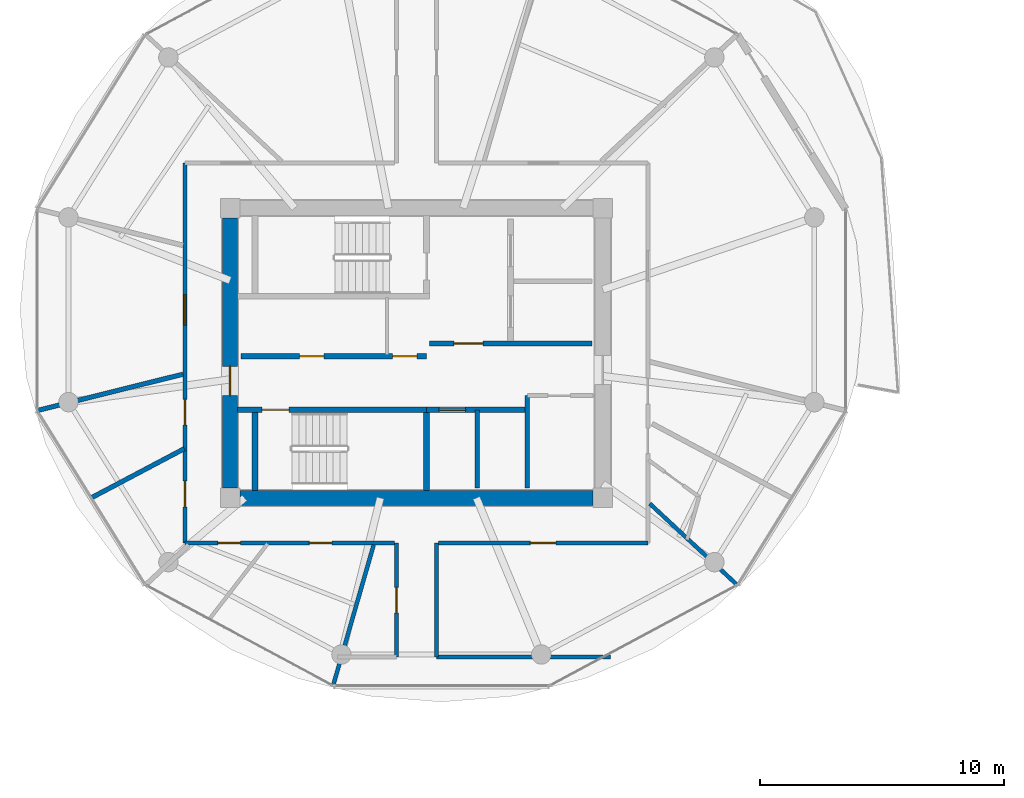
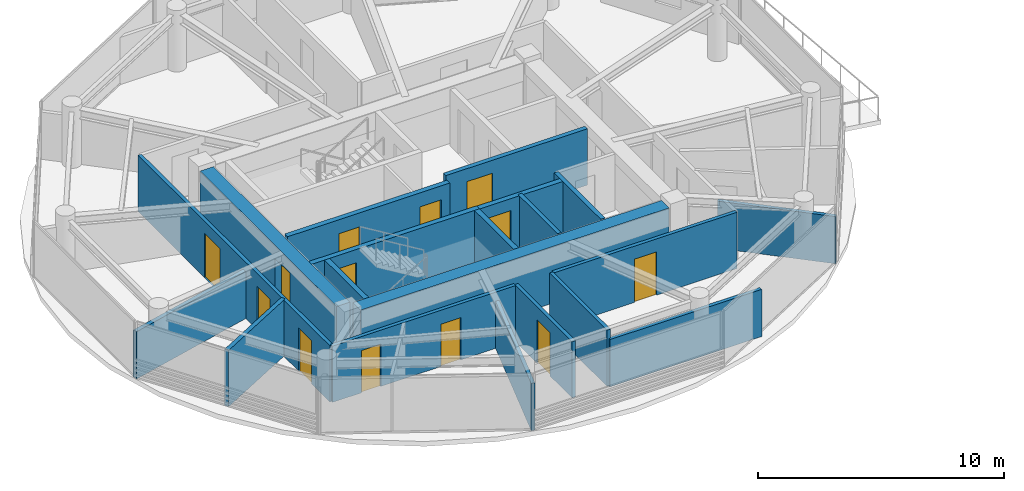
# One storey, part 13 of 22: 20 walls, 13 doors, 13 openings.
"""IFC4 building model written with IfcOpenShell, lengths in metres."""

from ifc_helpers import new_model, si_unit, direction, frame, frame_2d, origin, place, context, subcontext, project, spatial, rectangle, extrude, source, transform, mapped, material, layer, layer_set, type_object, type_shapes, element, fill, save


model = new_model("IFC4")

# Units and contexts
model_context = context("Model", 3, precision=1e-05, world=origin(), true_north=direction((0.0, 1.0)))
body_context = subcontext(model_context, "Body", "Model", "MODEL_VIEW")
ifc_project = project(units=[si_unit("LENGTHUNIT", "METRE"), si_unit("AREAUNIT", "SQUARE_METRE"), si_unit("VOLUMEUNIT", "CUBIC_METRE"), si_unit("PLANEANGLEUNIT", "RADIAN"), si_unit("MASSUNIT", "GRAM", prefix="KILO")], contexts=[model_context])

# Site, building, storey
site_placement = place(None, origin())
site = spatial("IfcSite", under=ifc_project, at=site_placement, CompositionType="ELEMENT")
building_placement = place(site_placement, origin())
building = spatial("IfcBuilding", under=site, at=building_placement, Name="Norrkilde Senior Care Towers", CompositionType="ELEMENT")
storey_placement = place(building_placement, frame((0.0, 0.0, 137.35009765625)))
storey = spatial("IfcBuildingStorey", under=building, at=storey_placement, Name="L42", CompositionType="ELEMENT", Elevation=137.35009765625)

# Wall
ifc_material_1 = material(Name="Concrete C50/60", Category="concrete")
ifc_layer_1 = layer(ifc_material_1, 0.6201171875)
ifc_layer_set_1 = layer_set([ifc_layer_1], Name="Concrete C50/60")
wall_type_1 = type_object("IfcWallType", Name="Core Shear Wall Z3 620", PredefinedType="SHEAR", material=ifc_layer_set_1)
shared_shape_1 = source(origin(), body_context, "Body", "SweptSolid", [
    extrude(rectangle(XDim=14.5, YDim=0.6201171875, at=frame_2d((7.25, 0.0))), origin(), (0.0, 0.0, 1.0), 2.809814453125),
])
wall_1_placement = place(storey_placement, frame((-20.75, -5.949951171875, 0.0), z_axis=(0.0, 0.0, 1.0), x_axis=(-1.0, 0.0, 0.0)))
element("IfcWall", 1, at=wall_1_placement, inside=storey, type_object=wall_type_1, Name="L42 Core W South Shear Wall", PredefinedType="SHEAR", context=body_context, shape_type="MappedRepresentation", body=[
    mapped(shared_shape_1, transform((0.0, 0.0, 0.0), x_axis=(1.0, 0.0, 0.0), y_axis=(0.0, 1.0, 0.0), z_axis=(0.0, 0.0, 1.0), scale=1.0)),
])

# Wall, opening, door
shared_shape_2 = source(origin(), body_context, "Body", "SweptSolid", [
    extrude(rectangle(XDim=11.10009765625, YDim=0.6201171875, at=frame_2d((5.550048828125, 0.0))), origin(), (0.0, 0.0, 1.0), 2.809814453125),
])
type_shapes(wall_type_1, [shared_shape_1, shared_shape_2])
wall_2_placement = place(storey_placement, frame((-35.64990234375, -5.550048828125, 0.0), z_axis=(0.0, 0.0, 1.0), x_axis=(0.0, 1.0, 0.0)))
wall_2 = element("IfcWall", 2, at=wall_2_placement, inside=storey, type_object=wall_type_1, Name="L42 Core W West Shear Wall", PredefinedType="SHEAR", context=body_context, shape_type="MappedRepresentation", body=[
    mapped(shared_shape_2, transform((0.0, 0.0, 0.0), x_axis=(1.0, 0.0, 0.0), y_axis=(0.0, 1.0, 0.0), z_axis=(0.0, 0.0, 1.0), scale=1.0)),
])
opening_1_placement = place(wall_2_placement, frame((3.800048828125, 0.0, 0.0)))
opening_1 = element("IfcOpeningElement", 3, at=opening_1_placement, cuts=wall_2, Name="Opening D-04", PredefinedType="OPENING", context=body_context, shape_type="SweptSolid", body=[
    extrude(rectangle(XDim=1.199951171875, YDim=2.14990234375, at=frame_2d((0.60009765625, 1.074951171875))), frame((0.0, 0.320068359375, 0.0), z_axis=(0.0, -1.0, 0.0), x_axis=(1.0, 0.0, 0.0)), (0.0, 0.0, 1.0), 0.64013671875),
])
ifc_material_2 = material(Name="Galvanised Painted Steel", Category="steel")
door_type_1 = type_object("IfcDoorType", Name="Firefighting Lobby Fire Door 1200x2150", OperationType="NOTDEFINED", PredefinedType="DOOR", material=ifc_material_2)
shared_shape_3 = source(origin(), body_context, "Body", "SweptSolid", [
    extrude(rectangle(XDim=1.199951171875, YDim=2.14990234375, at=frame_2d((0.60009765625, 1.074951171875))), frame((0.0, 0.02490234375, 0.0), z_axis=(0.0, -1.0, 0.0), x_axis=(1.0, 0.0, 0.0)), (0.0, 0.0, 1.0), 0.050048828125),
])
type_shapes(door_type_1, [shared_shape_3])
door_1_placement = place(opening_1_placement, frame((1.199951171875, 0.0, 0.0), z_axis=(0.0, 0.0, 1.0), x_axis=(-1.0, 0.0, 0.0)))
door_1 = element("IfcDoor", 4, at=door_1_placement, inside=storey, type_object=door_type_1, Name="L42 Core W West Portal Door", OperationType="SINGLE_SWING_LEFT", OverallHeight=2.14990234375, OverallWidth=1.199951171875, PredefinedType="DOOR", context=body_context, shape_type="MappedRepresentation", body=[
    mapped(shared_shape_3, transform((0.0, 0.0, 0.0), x_axis=(1.0, 0.0, 0.0), y_axis=(0.0, 1.0, 0.0), z_axis=(0.0, 0.0, 1.0), scale=1.0)),
])
fill(opening_1, door_1)

ifc_material_3 = material(Name="Concrete C45/55", Category="concrete")
ifc_layer_2 = layer(ifc_material_3, 0.2099609375)
ifc_layer_set_2 = layer_set([ifc_layer_2], Name="Concrete C45/55")
wall_type_2 = type_object("IfcWallType", Name="Firefighting Lobby Wall 210", PredefinedType="PARTITIONING", material=ifc_layer_set_2)
shared_shape_4 = source(origin(), body_context, "Body", "SweptSolid", [
    extrude(rectangle(XDim=6.659912109375, YDim=0.2099609375, at=frame_2d((3.330078125, 0.0))), origin(), (0.0, 0.0, 1.0), 2.794921875),
])
type_shapes(wall_type_2, [shared_shape_4])
wall_3_placement = place(storey_placement, frame((-27.4599609375, 0.389892578125, 0.0), z_axis=(0.0, 0.0, 1.0), x_axis=(1.0, 0.0, 0.0)))
wall_3 = element("IfcWall", 5, at=wall_3_placement, inside=storey, type_object=wall_type_2, Name="WL-INT-L42-W-FFLS", PredefinedType="PARTITIONING", context=body_context, shape_type="MappedRepresentation", body=[
    mapped(shared_shape_4, transform((0.0, 0.0, 0.0), x_axis=(1.0, 0.0, 0.0), y_axis=(0.0, 1.0, 0.0), z_axis=(0.0, 0.0, 1.0), scale=1.0)),
])
opening_2_placement = place(wall_3_placement, frame((1.0, 0.0, 0.0)))
opening_2 = element("IfcOpeningElement", 6, at=opening_2_placement, cuts=wall_3, Name="Opening D-04", PredefinedType="OPENING", context=body_context, shape_type="SweptSolid", body=[
    extrude(rectangle(XDim=1.199951171875, YDim=2.14990234375, at=frame_2d((0.60009765625, 1.074951171875))), frame((0.0, 0.114990234375, 0.0), z_axis=(0.0, -1.0, 0.0), x_axis=(1.0, 0.0, 0.0)), (0.0, 0.0, 1.0), 0.22998046875),
])
door_2_placement = place(opening_2_placement, frame((1.199951171875, 0.0, 0.0), z_axis=(0.0, 0.0, 1.0), x_axis=(-1.0, 0.0, 0.0)))
door_2 = element("IfcDoor", 7, at=door_2_placement, inside=storey, type_object=door_type_1, Name="L42 Firefighting Lobby W Door", OperationType="SINGLE_SWING_LEFT", OverallHeight=2.14990234375, OverallWidth=1.199951171875, PredefinedType="DOOR", context=body_context, shape_type="MappedRepresentation", body=[
    mapped(shared_shape_3, transform((0.0, 0.0, 0.0), x_axis=(1.0, 0.0, 0.0), y_axis=(0.0, 1.0, 0.0), z_axis=(0.0, 0.0, 1.0), scale=1.0)),
])
fill(opening_2, door_2)

# Wall, openings, doors
ifc_layer_3 = layer(ifc_material_3, 0.239990234375)
ifc_layer_set_3 = layer_set([ifc_layer_3], Name="Concrete C45/55")
wall_type_3 = type_object("IfcWallType", Name="Lift and Plant Rated Enclosure Partition 240", PredefinedType="PARTITIONING", material=ifc_layer_set_3)
shared_shape_5 = source(origin(), body_context, "Body", "SweptSolid", [
    extrude(rectangle(XDim=7.619873046875, YDim=0.239990234375, at=frame_2d((3.81005859375, 0.0))), origin(), (0.0, 0.0, 1.0), 2.794921875),
])
wall_4_placement = place(storey_placement, frame((-35.199951171875, -0.1298828125, 0.0), z_axis=(0.0, 0.0, 1.0), x_axis=(1.0, 0.0, 0.0)))
wall_4 = element("IfcWall", 8, at=wall_4_placement, inside=storey, type_object=wall_type_3, Name="WL-INT-L42-W-PKAS", PredefinedType="PARTITIONING", context=body_context, shape_type="MappedRepresentation", body=[
    mapped(shared_shape_5, transform((0.0, 0.0, 0.0), x_axis=(1.0, 0.0, 0.0), y_axis=(0.0, 1.0, 0.0), z_axis=(0.0, 0.0, 1.0), scale=1.0)),
])
opening_3_placement = place(wall_4_placement, frame((6.219970703125, 0.0, 0.0)))
opening_3 = element("IfcOpeningElement", 9, at=opening_3_placement, cuts=wall_4, Name="Opening D-10", PredefinedType="OPENING", context=body_context, shape_type="SweptSolid", body=[
    extrude(rectangle(XDim=1.0, YDim=2.10009765625, at=frame_2d((0.5, 1.050048828125))), frame((0.0, 0.1298828125, 0.0), z_axis=(0.0, -1.0, 0.0), x_axis=(1.0, 0.0, 0.0)), (0.0, 0.0, 1.0), 0.260009765625),
])
opening_4_placement = place(wall_4_placement, frame((2.39990234375, 0.0, 0.0)))
opening_4 = element("IfcOpeningElement", 10, at=opening_4_placement, cuts=wall_4, Name="Opening D-10", PredefinedType="OPENING", context=body_context, shape_type="SweptSolid", body=[
    extrude(rectangle(XDim=1.0, YDim=2.10009765625, at=frame_2d((0.5, 1.050048828125))), frame((0.0, 0.1298828125, 0.0), z_axis=(0.0, -1.0, 0.0), x_axis=(1.0, 0.0, 0.0)), (0.0, 0.0, 1.0), 0.260009765625),
])
door_type_2 = type_object("IfcDoorType", Name="Plant and Riser Rated Door 1000x2100", OperationType="NOTDEFINED", PredefinedType="DOOR", material=ifc_material_2)
shared_shape_6 = source(origin(), body_context, "Body", "SweptSolid", [
    extrude(rectangle(XDim=1.0, YDim=2.10009765625, at=frame_2d((0.5, 1.050048828125))), frame((0.0, 0.02490234375, 0.0), z_axis=(0.0, -1.0, 0.0), x_axis=(1.0, 0.0, 0.0)), (0.0, 0.0, 1.0), 0.050048828125),
])
type_shapes(door_type_2, [shared_shape_6])
door_3_placement = place(opening_3_placement, frame((1.0, 0.0, 0.0), z_axis=(0.0, 0.0, 1.0), x_axis=(-1.0, 0.0, 0.0)))
door_3 = element("IfcDoor", 11, at=door_3_placement, inside=storey, type_object=door_type_2, Name="L42 Electrical Riser W Door", OperationType="SINGLE_SWING_LEFT", OverallHeight=2.10009765625, OverallWidth=1.0, PredefinedType="DOOR", context=body_context, shape_type="MappedRepresentation", body=[
    mapped(shared_shape_6, transform((0.0, 0.0, 0.0), x_axis=(1.0, 0.0, 0.0), y_axis=(0.0, 1.0, 0.0), z_axis=(0.0, 0.0, 1.0), scale=1.0)),
])
fill(opening_3, door_3)
door_4_placement = place(opening_4_placement, frame((1.0, 0.0, 0.0), z_axis=(0.0, 0.0, 1.0), x_axis=(-1.0, 0.0, 0.0)))
door_4 = element("IfcDoor", 12, at=door_4_placement, inside=storey, type_object=door_type_2, Name="L42 Clean Supply Store W Door", OperationType="SINGLE_SWING_LEFT", OverallHeight=2.10009765625, OverallWidth=1.0, PredefinedType="DOOR", context=body_context, shape_type="MappedRepresentation", body=[
    mapped(shared_shape_6, transform((0.0, 0.0, 0.0), x_axis=(1.0, 0.0, 0.0), y_axis=(0.0, 1.0, 0.0), z_axis=(0.0, 0.0, 1.0), scale=1.0)),
])
fill(opening_4, door_4)

# Wall
ifc_layer_4 = layer(ifc_material_3, 0.199951171875)
ifc_layer_set_4 = layer_set([ifc_layer_4], Name="Concrete C45/55")
wall_type_4 = type_object("IfcWallType", Name="Shaft Division and Plant Partition 200", PredefinedType="PARTITIONING", material=ifc_layer_set_4)
shared_shape_7 = source(origin(), body_context, "Body", "SweptSolid", [
    extrude(rectangle(XDim=3.800048828125, YDim=0.199951171875, at=frame_2d((1.89990234375, 0.0))), origin(), (0.0, 0.0, 1.0), 2.794921875),
])
type_shapes(wall_type_4, [shared_shape_7])
wall_5_placement = place(storey_placement, frame((-23.449951171875, -5.550048828125, 0.0), z_axis=(0.0, 0.0, 1.0), x_axis=(0.0, 1.0, 0.0)))
element("IfcWall", 13, at=wall_5_placement, inside=storey, type_object=wall_type_4, Name="WL-INT-L42-W-PKBE", PredefinedType="PARTITIONING", context=body_context, shape_type="MappedRepresentation", body=[
    mapped(shared_shape_7, transform((0.0, 0.0, 0.0), x_axis=(1.0, 0.0, 0.0), y_axis=(0.0, 1.0, 0.0), z_axis=(0.0, 0.0, 1.0), scale=1.0)),
])

# Wall, opening, door
shared_shape_8 = source(origin(), body_context, "Body", "SweptSolid", [
    extrude(rectangle(XDim=4.130126953125, YDim=0.239990234375, at=frame_2d((2.06494140625, 0.0))), origin(), (0.0, 0.0, 1.0), 2.794921875),
])
type_shapes(wall_type_3, [shared_shape_5, shared_shape_8])
wall_6_placement = place(storey_placement, frame((-27.580078125, -2.330078125, 0.0), z_axis=(0.0, 0.0, 1.0), x_axis=(1.0, 0.0, 0.0)))
wall_6 = element("IfcWall", 14, at=wall_6_placement, inside=storey, type_object=wall_type_3, Name="WL-INT-L42-W-PKBN", PredefinedType="PARTITIONING", context=body_context, shape_type="MappedRepresentation", body=[
    mapped(shared_shape_8, transform((0.0, 0.0, 0.0), x_axis=(1.0, 0.0, 0.0), y_axis=(0.0, 1.0, 0.0), z_axis=(0.0, 0.0, 1.0), scale=1.0)),
])
opening_5_placement = place(wall_6_placement, frame((0.5, 0.0, 0.0)))
opening_5 = element("IfcOpeningElement", 15, at=opening_5_placement, cuts=wall_6, Name="Opening LD-01", PredefinedType="OPENING", context=body_context, shape_type="SweptSolid", body=[
    extrude(rectangle(XDim=1.10009765625, YDim=2.199951171875, at=frame_2d((0.550048828125, 1.10009765625))), frame((0.0, 0.1298828125, 0.0), z_axis=(0.0, -1.0, 0.0), x_axis=(1.0, 0.0, 0.0)), (0.0, 0.0, 1.0), 0.260009765625),
])
ifc_material_4 = material(Name="Stainless Steel", Category="steel")
door_type_3 = type_object("IfcDoorType", Name="Lift Landing Sliding Door 1100x2200", OperationType="NOTDEFINED", PredefinedType="DOOR", material=ifc_material_4)
shared_shape_9 = source(origin(), body_context, "Body", "SweptSolid", [
    extrude(rectangle(XDim=1.10009765625, YDim=2.199951171875, at=frame_2d((0.550048828125, 1.10009765625))), frame((0.0, 0.02490234375, 0.0), z_axis=(0.0, -1.0, 0.0), x_axis=(1.0, 0.0, 0.0)), (0.0, 0.0, 1.0), 0.050048828125),
])
type_shapes(door_type_3, [shared_shape_9])
door_5_placement = place(opening_5_placement, frame((1.10009765625, 0.0, 0.0), z_axis=(0.0, 0.0, 1.0), x_axis=(-1.0, 0.0, 0.0)))
door_5 = element("IfcDoor", 16, at=door_5_placement, inside=storey, type_object=door_type_3, Name="L42 Passenger Lift W3 Landing Door", OperationType="SLIDING_TO_LEFT", OverallHeight=2.199951171875, OverallWidth=1.10009765625, PredefinedType="DOOR", context=body_context, shape_type="MappedRepresentation", body=[
    mapped(shared_shape_9, transform((0.0, 0.0, 0.0), x_axis=(1.0, 0.0, 0.0), y_axis=(0.0, 1.0, 0.0), z_axis=(0.0, 0.0, 1.0), scale=1.0)),
])
fill(opening_5, door_5)

# Wall
ifc_layer_5 = layer(ifc_material_3, 0.179931640625)
ifc_layer_set_5 = layer_set([ifc_layer_5], Name="Concrete C45/55")
wall_type_5 = type_object("IfcWallType", Name="Hoistway Division Rated Partition 180", PredefinedType="PARTITIONING", material=ifc_layer_set_5)
shared_shape_10 = source(origin(), body_context, "Body", "SweptSolid", [
    extrude(rectangle(XDim=3.219970703125, YDim=0.179931640625, at=frame_2d((1.60986328125, 0.0))), origin(), (0.0, 0.0, 1.0), 2.794921875),
])
type_shapes(wall_type_5, [shared_shape_10])
wall_7_placement = place(storey_placement, frame((-25.5, -5.550048828125, 0.0), z_axis=(0.0, 0.0, 1.0), x_axis=(0.0, 1.0, 0.0)))
element("IfcWall", 17, at=wall_7_placement, inside=storey, type_object=wall_type_5, Name="WL-INT-L42-W-PL34", PredefinedType="PARTITIONING", context=body_context, shape_type="MappedRepresentation", body=[
    mapped(shared_shape_10, transform((0.0, 0.0, 0.0), x_axis=(1.0, 0.0, 0.0), y_axis=(0.0, 1.0, 0.0), z_axis=(0.0, 0.0, 1.0), scale=1.0)),
])

# Wall, opening, door
ifc_material_5 = material(Name="Gypsum Acoustic Board")
ifc_layer_6 = layer(ifc_material_5, 0.1650390625)
ifc_layer_set_6 = layer_set([ifc_layer_6], Name="Gypsum Acoustic Board")
wall_type_6 = type_object("IfcWallType", Name="Corridor Rated Partition 165", PredefinedType="PARTITIONING", material=ifc_layer_set_6)
shared_shape_11 = source(origin(), body_context, "Body", "SweptSolid", [
    extrude(rectangle(XDim=8.60009765625, YDim=0.1650390625, at=frame_2d((4.300048828125, 0.0))), origin(), (0.0, 0.0, 1.0), 2.794921875),
])
wall_8_placement = place(storey_placement, frame((-18.5, -7.800048828125, 0.0), z_axis=(0.0, 0.0, 1.0), x_axis=(-1.0, 0.0, 0.0)))
wall_8 = element("IfcWall", 18, at=wall_8_placement, inside=storey, type_object=wall_type_6, Name="WL-INT-L42-W-CRW-S-0", PredefinedType="PARTITIONING", context=body_context, shape_type="MappedRepresentation", body=[
    mapped(shared_shape_11, transform((0.0, 0.0, 0.0), x_axis=(1.0, 0.0, 0.0), y_axis=(0.0, 1.0, 0.0), z_axis=(0.0, 0.0, 1.0), scale=1.0)),
])
opening_6_placement = place(wall_8_placement, frame((3.77490234375, 0.0, 0.0)))
opening_6 = element("IfcOpeningElement", 19, at=opening_6_placement, cuts=wall_8, Name="Opening D-06", PredefinedType="OPENING", context=body_context, shape_type="SweptSolid", body=[
    extrude(rectangle(XDim=1.050048828125, YDim=2.14990234375, at=frame_2d((0.52490234375, 1.074951171875))), frame((0.0, 0.092529296875, 0.0), z_axis=(0.0, -1.0, 0.0), x_axis=(1.0, 0.0, 0.0)), (0.0, 0.0, 1.0), 0.18505859375),
])
ifc_material_6 = material(Name="Nordic Ash Timber", Category="wood")
door_type_4 = type_object("IfcDoorType", Name="Apartment Entrance Fire Door 1050x2150", OperationType="NOTDEFINED", PredefinedType="DOOR", material=ifc_material_6)
shared_shape_12 = source(origin(), body_context, "Body", "SweptSolid", [
    extrude(rectangle(XDim=1.050048828125, YDim=2.14990234375, at=frame_2d((0.52490234375, 1.074951171875))), frame((0.0, 0.02490234375, 0.0), z_axis=(0.0, -1.0, 0.0), x_axis=(1.0, 0.0, 0.0)), (0.0, 0.0, 1.0), 0.050048828125),
])
type_shapes(door_type_4, [shared_shape_12])
door_6_placement = place(opening_6_placement, frame((1.050048828125, 0.0, 0.0), z_axis=(0.0, 0.0, 1.0), x_axis=(-1.0, 0.0, 0.0)))
door_6 = element("IfcDoor", 20, at=door_6_placement, inside=storey, type_object=door_type_4, Name="L42 Reading Lounge SEL Door", OperationType="SINGLE_SWING_RIGHT", OverallHeight=2.14990234375, OverallWidth=1.050048828125, PredefinedType="DOOR", context=body_context, shape_type="MappedRepresentation", body=[
    mapped(shared_shape_12, transform((0.0, 0.0, 0.0), x_axis=(1.0, 0.0, 0.0), y_axis=(0.0, 1.0, 0.0), z_axis=(0.0, 0.0, 1.0), scale=1.0)),
])
fill(opening_6, door_6)

# Wall, openings, doors
wall_9_placement = place(storey_placement, frame((-28.89990234375, -7.800048828125, 0.0), z_axis=(0.0, 0.0, 1.0), x_axis=(-1.0, 0.0, 0.0)))
wall_9 = element("IfcWall", 21, at=wall_9_placement, inside=storey, type_object=wall_type_6, Name="WL-INT-L42-W-CRW-S-1", PredefinedType="PARTITIONING", context=body_context, shape_type="MappedRepresentation", body=[
    mapped(shared_shape_11, transform((0.0, 0.0, 0.0), x_axis=(1.0, 0.0, 0.0), y_axis=(0.0, 1.0, 0.0), z_axis=(0.0, 0.0, 1.0), scale=1.0)),
])
opening_7_placement = place(wall_9_placement, frame((6.330322265625, 0.0, 0.0)))
opening_7 = element("IfcOpeningElement", 22, at=opening_7_placement, cuts=wall_9, Name="Opening D-08", PredefinedType="OPENING", context=body_context, shape_type="SweptSolid", body=[
    extrude(rectangle(XDim=0.919921875, YDim=2.10009765625, at=frame_2d((0.4599609375, 1.050048828125))), frame((0.0, 0.092529296875, 0.0), z_axis=(0.0, -1.0, 0.0), x_axis=(1.0, 0.0, 0.0)), (0.0, 0.0, 1.0), 0.18505859375),
])
opening_8_placement = place(wall_9_placement, frame((2.57470703125, 0.0, 0.0)))
opening_8 = element("IfcOpeningElement", 23, at=opening_8_placement, cuts=wall_9, Name="Opening D-08", PredefinedType="OPENING", context=body_context, shape_type="SweptSolid", body=[
    extrude(rectangle(XDim=0.919921875, YDim=2.10009765625, at=frame_2d((0.4599609375, 1.050048828125))), frame((0.0, 0.092529296875, 0.0), z_axis=(0.0, -1.0, 0.0), x_axis=(1.0, 0.0, 0.0)), (0.0, 0.0, 1.0), 0.18505859375),
])
door_type_5 = type_object("IfcDoorType", Name="Accessible Wet Room Door 920x2100", OperationType="NOTDEFINED", PredefinedType="DOOR", material=ifc_material_6)
shared_shape_13 = source(origin(), body_context, "Body", "SweptSolid", [
    extrude(rectangle(XDim=0.919921875, YDim=2.10009765625, at=frame_2d((0.4599609375, 1.050048828125))), frame((0.0, 0.02490234375, 0.0), z_axis=(0.0, -1.0, 0.0), x_axis=(1.0, 0.0, 0.0)), (0.0, 0.0, 1.0), 0.050048828125),
])
type_shapes(door_type_5, [shared_shape_13])
door_7_placement = place(opening_7_placement, frame((0.919921875, 0.0, 0.0), z_axis=(0.0, 0.0, 1.0), x_axis=(-1.0, 0.0, 0.0)))
door_7 = element("IfcDoor", 24, at=door_7_placement, inside=storey, type_object=door_type_5, Name="L42 Accessible Restroom Door", OperationType="SINGLE_SWING_RIGHT", OverallHeight=2.10009765625, OverallWidth=0.919921875, PredefinedType="DOOR", context=body_context, shape_type="MappedRepresentation", body=[
    mapped(shared_shape_13, transform((0.0, 0.0, 0.0), x_axis=(1.0, 0.0, 0.0), y_axis=(0.0, 1.0, 0.0), z_axis=(0.0, 0.0, 1.0), scale=1.0)),
])
fill(opening_7, door_7)
door_8_placement = place(opening_8_placement, frame((0.919921875, 0.0, 0.0), z_axis=(0.0, 0.0, 1.0), x_axis=(-1.0, 0.0, 0.0)))
door_8 = element("IfcDoor", 25, at=door_8_placement, inside=storey, type_object=door_type_5, Name="L42 Public Restroom Door", OperationType="SINGLE_SWING_LEFT", OverallHeight=2.10009765625, OverallWidth=0.919921875, PredefinedType="DOOR", context=body_context, shape_type="MappedRepresentation", body=[
    mapped(shared_shape_13, transform((0.0, 0.0, 0.0), x_axis=(1.0, 0.0, 0.0), y_axis=(0.0, 1.0, 0.0), z_axis=(0.0, 0.0, 1.0), scale=1.0)),
])
fill(opening_8, door_8)

shared_shape_14 = source(origin(), body_context, "Body", "SweptSolid", [
    extrude(rectangle(XDim=15.60009765625, YDim=0.1650390625, at=frame_2d((7.800048828125, 0.0))), origin(), (0.0, 0.0, 1.0), 2.794921875),
])
wall_10_placement = place(storey_placement, frame((-37.5, -7.800048828125, 0.0), z_axis=(0.0, 0.0, 1.0), x_axis=(0.0, 1.0, 0.0)))
wall_10 = element("IfcWall", 26, at=wall_10_placement, inside=storey, type_object=wall_type_6, Name="WL-INT-L42-W-CRW-W-0", PredefinedType="PARTITIONING", context=body_context, shape_type="MappedRepresentation", body=[
    mapped(shared_shape_14, transform((0.0, 0.0, 0.0), x_axis=(1.0, 0.0, 0.0), y_axis=(0.0, 1.0, 0.0), z_axis=(0.0, 0.0, 1.0), scale=1.0)),
])
opening_9_placement = place(wall_10_placement, frame((8.950439453125, 0.0, 0.0)))
opening_9 = element("IfcOpeningElement", 27, at=opening_9_placement, cuts=wall_10, Name="Opening D-05", PredefinedType="OPENING", context=body_context, shape_type="SweptSolid", body=[
    extrude(rectangle(XDim=1.25, YDim=2.199951171875, at=frame_2d((0.625, 1.10009765625))), frame((0.0, 0.092529296875, 0.0), z_axis=(0.0, -1.0, 0.0), x_axis=(1.0, 0.0, 0.0)), (0.0, 0.0, 1.0), 0.18505859375),
])
opening_10_placement = place(wall_10_placement, frame((4.851318359375, 0.0, 0.0)))
opening_10 = element("IfcOpeningElement", 28, at=opening_10_placement, cuts=wall_10, Name="Opening D-06", PredefinedType="OPENING", context=body_context, shape_type="SweptSolid", body=[
    extrude(rectangle(XDim=1.050048828125, YDim=2.14990234375, at=frame_2d((0.52490234375, 1.074951171875))), frame((0.0, 0.092529296875, 0.0), z_axis=(0.0, -1.0, 0.0), x_axis=(1.0, 0.0, 0.0)), (0.0, 0.0, 1.0), 0.18505859375),
])
opening_11_placement = place(wall_10_placement, frame((1.487548828125, 0.0, 0.0)))
opening_11 = element("IfcOpeningElement", 29, at=opening_11_placement, cuts=wall_10, Name="Opening D-06", PredefinedType="OPENING", context=body_context, shape_type="SweptSolid", body=[
    extrude(rectangle(XDim=1.050048828125, YDim=2.14990234375, at=frame_2d((0.52490234375, 1.074951171875))), frame((0.0, 0.092529296875, 0.0), z_axis=(0.0, -1.0, 0.0), x_axis=(1.0, 0.0, 0.0)), (0.0, 0.0, 1.0), 0.18505859375),
])
door_type_6 = type_object("IfcDoorType", Name="Care Bedroom Bariatric Door 1250x2200", OperationType="NOTDEFINED", PredefinedType="DOOR", material=ifc_material_6)
shared_shape_15 = source(origin(), body_context, "Body", "SweptSolid", [
    extrude(rectangle(XDim=1.25, YDim=2.199951171875, at=frame_2d((0.625, 1.10009765625))), frame((0.0, 0.02490234375, 0.0), z_axis=(0.0, -1.0, 0.0), x_axis=(1.0, 0.0, 0.0)), (0.0, 0.0, 1.0), 0.050048828125),
])
type_shapes(door_type_6, [shared_shape_15])
door_9_placement = place(opening_9_placement, frame((1.25, 0.0, 0.0), z_axis=(0.0, 0.0, 1.0), x_axis=(-1.0, 0.0, 0.0)))
door_9 = element("IfcDoor", 30, at=door_9_placement, inside=storey, type_object=door_type_6, Name="L42 Senior Wellness Library Lounge Door", OperationType="SINGLE_SWING_RIGHT", OverallHeight=2.199951171875, OverallWidth=1.25, PredefinedType="DOOR", context=body_context, shape_type="MappedRepresentation", body=[
    mapped(shared_shape_15, transform((0.0, 0.0, 0.0), x_axis=(1.0, 0.0, 0.0), y_axis=(0.0, 1.0, 0.0), z_axis=(0.0, 0.0, 1.0), scale=1.0)),
])
fill(opening_9, door_9)
door_10_placement = place(opening_10_placement, frame((1.050048828125, 0.0, 0.0), z_axis=(0.0, 0.0, 1.0), x_axis=(-1.0, 0.0, 0.0)))
door_10 = element("IfcDoor", 31, at=door_10_placement, inside=storey, type_object=door_type_4, Name="L42 Physiotherapy Clinic 6A Door", OperationType="SINGLE_SWING_LEFT", OverallHeight=2.14990234375, OverallWidth=1.050048828125, PredefinedType="DOOR", context=body_context, shape_type="MappedRepresentation", body=[
    mapped(shared_shape_12, transform((0.0, 0.0, 0.0), x_axis=(1.0, 0.0, 0.0), y_axis=(0.0, 1.0, 0.0), z_axis=(0.0, 0.0, 1.0), scale=1.0)),
])
fill(opening_10, door_10)
door_11_placement = place(opening_11_placement, frame((1.050048828125, 0.0, 0.0), z_axis=(0.0, 0.0, 1.0), x_axis=(-1.0, 0.0, 0.0)))
door_11 = element("IfcDoor", 32, at=door_11_placement, inside=storey, type_object=door_type_4, Name="L42 Assessment Clinic 6B Door", OperationType="SINGLE_SWING_RIGHT", OverallHeight=2.14990234375, OverallWidth=1.050048828125, PredefinedType="DOOR", context=body_context, shape_type="MappedRepresentation", body=[
    mapped(shared_shape_12, transform((0.0, 0.0, 0.0), x_axis=(1.0, 0.0, 0.0), y_axis=(0.0, 1.0, 0.0), z_axis=(0.0, 0.0, 1.0), scale=1.0)),
])
fill(opening_11, door_11)

# Walls
shared_shape_16 = source(origin(), body_context, "Body", "SweptSolid", [
    extrude(rectangle(XDim=6.035400390625, YDim=0.1650390625, at=frame_2d((3.017578125, 0.0))), origin(), (0.0, 0.0, 1.0), 2.344970703125),
])
wall_11_placement = place(storey_placement, frame((-29.756103515625, -7.8798828125, 0.0), z_axis=(0.0, 0.0, 1.0), x_axis=(-0.276809454862, -0.960924828329, 0.0)))
element("IfcWall", 33, at=wall_11_placement, inside=storey, type_object=wall_type_6, Name="WL-INT-L42-W-DEM-08-0", PredefinedType="PARTITIONING", context=body_context, shape_type="MappedRepresentation", body=[
    mapped(shared_shape_16, transform((0.0, 0.0, 0.0), x_axis=(1.0, 0.0, 0.0), y_axis=(0.0, 1.0, 0.0), z_axis=(0.0, 0.0, 1.0), scale=1.0)),
])
shared_shape_17 = source(origin(), body_context, "Body", "SweptSolid", [
    extrude(rectangle(XDim=4.926513671875, YDim=0.1650390625, at=frame_2d((2.46337890625, 0.0))), origin(), (0.0, 0.0, 1.0), 2.344970703125),
])
wall_12_placement = place(storey_placement, frame((-18.419921875, -6.182861328125, 0.0), z_axis=(0.0, 0.0, 1.0), x_axis=(0.732191335987, -0.681098999783, 0.0)))
element("IfcWall", 34, at=wall_12_placement, inside=storey, type_object=wall_type_6, Name="WL-INT-L42-W-DEM-10-0", PredefinedType="PARTITIONING", context=body_context, shape_type="MappedRepresentation", body=[
    mapped(shared_shape_17, transform((0.0, 0.0, 0.0), x_axis=(1.0, 0.0, 0.0), y_axis=(0.0, 1.0, 0.0), z_axis=(0.0, 0.0, 1.0), scale=1.0)),
])

# Wall, opening, door
shared_shape_18 = source(origin(), body_context, "Body", "SweptSolid", [
    extrude(rectangle(XDim=4.6845703125, YDim=0.1650390625, at=frame_2d((2.34228515625, 0.0))), origin(), (0.0, 0.0, 1.0), 2.794921875),
])
wall_13_placement = place(storey_placement, frame((-28.820068359375, -12.484619140625, 0.0), z_axis=(0.0, 0.0, 1.0), x_axis=(0.0, 1.0, 0.0)))
wall_13 = element("IfcWall", 35, at=wall_13_placement, inside=storey, type_object=wall_type_6, Name="WL-INT-L42-W-PKW-SWL", PredefinedType="PARTITIONING", context=body_context, shape_type="MappedRepresentation", body=[
    mapped(shared_shape_18, transform((0.0, 0.0, 0.0), x_axis=(1.0, 0.0, 0.0), y_axis=(0.0, 1.0, 0.0), z_axis=(0.0, 0.0, 1.0), scale=1.0)),
])
opening_12_placement = place(wall_13_placement, frame((1.8173828125, 0.0, 0.0)))
opening_12 = element("IfcOpeningElement", 36, at=opening_12_placement, cuts=wall_13, Name="Opening D-06", PredefinedType="OPENING", context=body_context, shape_type="SweptSolid", body=[
    extrude(rectangle(XDim=1.050048828125, YDim=2.14990234375, at=frame_2d((0.52490234375, 1.074951171875))), frame((0.0, 0.092529296875, 0.0), z_axis=(0.0, -1.0, 0.0), x_axis=(1.0, 0.0, 0.0)), (0.0, 0.0, 1.0), 0.18505859375),
])
door_12_placement = place(opening_12_placement, frame((1.050048828125, 0.0, 0.0), z_axis=(0.0, 0.0, 1.0), x_axis=(-1.0, 0.0, 0.0)))
door_12 = element("IfcDoor", 37, at=door_12_placement, inside=storey, type_object=door_type_4, Name="L42 Reading Lounge SWL Door", OperationType="SINGLE_SWING_RIGHT", OverallHeight=2.14990234375, OverallWidth=1.050048828125, PredefinedType="DOOR", context=body_context, shape_type="MappedRepresentation", body=[
    mapped(shared_shape_12, transform((0.0, 0.0, 0.0), x_axis=(1.0, 0.0, 0.0), y_axis=(0.0, 1.0, 0.0), z_axis=(0.0, 0.0, 1.0), scale=1.0)),
])
fill(opening_12, door_12)

# Walls
wall_14_placement = place(storey_placement, frame((-27.179931640625, -12.484619140625, 0.0), z_axis=(0.0, 0.0, 1.0), x_axis=(0.0, 1.0, 0.0)))
element("IfcWall", 38, at=wall_14_placement, inside=storey, type_object=wall_type_6, Name="WL-INT-L42-W-PKW-SEL", PredefinedType="PARTITIONING", context=body_context, shape_type="MappedRepresentation", body=[
    mapped(shared_shape_18, transform((0.0, 0.0, 0.0), x_axis=(1.0, 0.0, 0.0), y_axis=(0.0, 1.0, 0.0), z_axis=(0.0, 0.0, 1.0), scale=1.0)),
])
shared_shape_19 = source(origin(), body_context, "Body", "SweptSolid", [
    extrude(rectangle(XDim=7.138916015625, YDim=0.1650390625, at=frame_2d((3.5693359375, 0.0))), origin(), (0.0, 0.0, 1.0), 2.344970703125),
])
type_shapes(wall_type_6, [shared_shape_11, shared_shape_14, shared_shape_16, shared_shape_17, shared_shape_18, shared_shape_19])
wall_15_placement = place(storey_placement, frame((-27.179931640625, -12.484619140625, 0.0), z_axis=(0.0, 0.0, 1.0), x_axis=(1.0, 0.0, 0.0)))
element("IfcWall", 39, at=wall_15_placement, inside=storey, type_object=wall_type_6, Name="WL-INT-L42-W-PKH-SEL-0", PredefinedType="PARTITIONING", context=body_context, shape_type="MappedRepresentation", body=[
    mapped(shared_shape_19, transform((0.0, 0.0, 0.0), x_axis=(1.0, 0.0, 0.0), y_axis=(0.0, 1.0, 0.0), z_axis=(0.0, 0.0, 1.0), scale=1.0)),
])
ifc_layer_7 = layer(ifc_material_5, 0.18994140625)
ifc_layer_set_7 = layer_set([ifc_layer_7], Name="Gypsum Acoustic Board")
wall_type_7 = type_object("IfcWallType", Name="Unit Demising Acoustic Wall 190", PredefinedType="PARTITIONING", material=ifc_layer_set_7)
shared_shape_20 = source(origin(), body_context, "Body", "SweptSolid", [
    extrude(rectangle(XDim=6.192626953125, YDim=0.18994140625, at=frame_2d((3.09619140625, 0.0))), origin(), (0.0, 0.0, 1.0), 2.344970703125),
])
wall_16_placement = place(storey_placement, frame((-37.580078125, -0.867919921875, 0.0), z_axis=(0.0, 0.0, 1.0), x_axis=(-0.970309243466, -0.241867674657, 0.0)))
element("IfcWall", 40, at=wall_16_placement, inside=storey, type_object=wall_type_7, Name="WL-INT-L42-W-DEM-06-0", PredefinedType="PARTITIONING", context=body_context, shape_type="MappedRepresentation", body=[
    mapped(shared_shape_20, transform((0.0, 0.0, 0.0), x_axis=(1.0, 0.0, 0.0), y_axis=(0.0, 1.0, 0.0), z_axis=(0.0, 0.0, 1.0), scale=1.0)),
])
shared_shape_21 = source(origin(), body_context, "Body", "SweptSolid", [
    extrude(rectangle(XDim=4.33544921875, YDim=0.18994140625, at=frame_2d((2.167724609375, 0.0))), origin(), (0.0, 0.0, 1.0), 2.794921875),
])
type_shapes(wall_type_7, [shared_shape_20, shared_shape_21])
wall_17_placement = place(storey_placement, frame((-37.530029296875, -3.92626953125, 0.0), z_axis=(0.0, 0.0, 1.0), x_axis=(-0.884108234352, -0.4672821738, 0.0)))
element("IfcWall", 41, at=wall_17_placement, inside=storey, type_object=wall_type_7, Name="WL-INT-L42-W-MID-06", PredefinedType="PARTITIONING", context=body_context, shape_type="MappedRepresentation", body=[
    mapped(shared_shape_21, transform((0.0, 0.0, 0.0), x_axis=(1.0, 0.0, 0.0), y_axis=(0.0, 1.0, 0.0), z_axis=(0.0, 0.0, 1.0), scale=1.0)),
])

# Wall, opening, door
ifc_layer_8 = layer(ifc_material_3, 0.239990234375)
ifc_layer_set_8 = layer_set([ifc_layer_8], Name="Concrete C45/55")
wall_type_8 = type_object("IfcWallType", Name="Shaft and Stair Enclosure Wall 240", PredefinedType="PARTITIONING", material=ifc_layer_set_8)
shared_shape_22 = source(origin(), body_context, "Body", "SweptSolid", [
    extrude(rectangle(XDim=7.880126953125, YDim=0.239990234375, at=frame_2d((3.93994140625, 0.0))), origin(), (0.0, 0.0, 1.0), 2.809814453125),
])
wall_18_placement = place(storey_placement, frame((-35.340087890625, -2.330078125, 0.0), z_axis=(0.0, 0.0, 1.0), x_axis=(1.0, 0.0, 0.0)))
wall_18 = element("IfcWall", 42, at=wall_18_placement, inside=storey, type_object=wall_type_8, Name="WL-INT-L42-W-ST2N", PredefinedType="PARTITIONING", context=body_context, shape_type="MappedRepresentation", body=[
    mapped(shared_shape_22, transform((0.0, 0.0, 0.0), x_axis=(1.0, 0.0, 0.0), y_axis=(0.0, 1.0, 0.0), z_axis=(0.0, 0.0, 1.0), scale=1.0)),
])
opening_13_placement = place(wall_18_placement, frame((1.0, 0.0, 0.0)))
opening_13 = element("IfcOpeningElement", 43, at=opening_13_placement, cuts=wall_18, Name="Opening D-03", PredefinedType="OPENING", context=body_context, shape_type="SweptSolid", body=[
    extrude(rectangle(XDim=1.10009765625, YDim=2.14990234375, at=frame_2d((0.550048828125, 1.074951171875))), frame((0.0, 0.1298828125, 0.0), z_axis=(0.0, -1.0, 0.0), x_axis=(1.0, 0.0, 0.0)), (0.0, 0.0, 1.0), 0.260009765625),
])
door_type_7 = type_object("IfcDoorType", Name="Stairwell Protected Fire Door 1100x2150", OperationType="NOTDEFINED", PredefinedType="DOOR", material=ifc_material_2)
shared_shape_23 = source(origin(), body_context, "Body", "SweptSolid", [
    extrude(rectangle(XDim=1.10009765625, YDim=2.14990234375, at=frame_2d((0.550048828125, 1.074951171875))), frame((0.0, 0.02490234375, 0.0), z_axis=(0.0, -1.0, 0.0), x_axis=(1.0, 0.0, 0.0)), (0.0, 0.0, 1.0), 0.050048828125),
])
type_shapes(door_type_7, [shared_shape_23])
door_13_placement = place(opening_13_placement, frame((1.10009765625, 0.0, 0.0), z_axis=(0.0, 0.0, 1.0), x_axis=(-1.0, 0.0, 0.0)))
door_13 = element("IfcDoor", 44, at=door_13_placement, inside=storey, type_object=door_type_7, Name="L42 Stair W2 Fire Door", OperationType="SINGLE_SWING_RIGHT", OverallHeight=2.14990234375, OverallWidth=1.10009765625, PredefinedType="DOOR", context=body_context, shape_type="MappedRepresentation", body=[
    mapped(shared_shape_23, transform((0.0, 0.0, 0.0), x_axis=(1.0, 0.0, 0.0), y_axis=(0.0, 1.0, 0.0), z_axis=(0.0, 0.0, 1.0), scale=1.0)),
])
fill(opening_13, door_13)

# Walls
shared_shape_24 = source(origin(), body_context, "Body", "SweptSolid", [
    extrude(rectangle(XDim=3.18994140625, YDim=0.239990234375, at=frame_2d((1.594970703125, 0.0))), origin(), (0.0, 0.0, 1.0), 2.809814453125),
])
type_shapes(wall_type_8, [shared_shape_22, shared_shape_24])
for number, where, z_axis, x_axis, name in (
    (45, (-34.6201171875, -5.639892578125, 0.0), (0.0, 0.0, 1.0), (0.0, 1.0, 0.0), "WL-INT-L42-W-ST2W"),
    (46, (-27.580078125, -5.639892578125, 0.0), (0.0, 0.0, 1.0), (0.0, 1.0, 0.0), "WL-INT-L42-W-ST2E"),
):
    element("IfcWall", number, at=place(storey_placement, frame(where, z_axis=z_axis, x_axis=x_axis)), inside=storey, type_object=wall_type_8, Name=name, PredefinedType="PARTITIONING", context=body_context, shape_type="MappedRepresentation", body=[
        mapped(shared_shape_24, transform((0.0, 0.0, 0.0), x_axis=(1.0, 0.0, 0.0), y_axis=(0.0, 1.0, 0.0), z_axis=(0.0, 0.0, 1.0), scale=1.0)),
    ])

save(model, "model.ifc")
